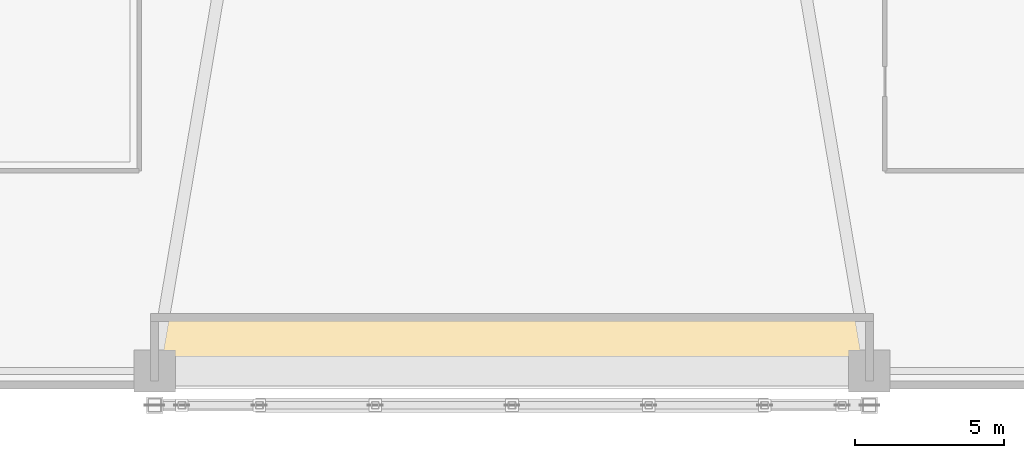
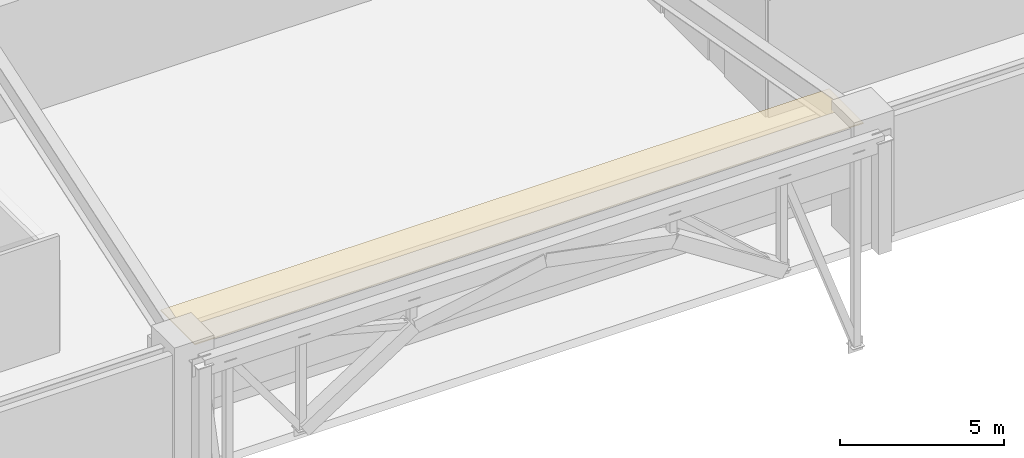
# One storey, part 17 of 21: 1 covering.
"""IFC4 building model written with IfcOpenShell, lengths in metres."""

from ifc_helpers import new_model, si_unit, direction, frame, origin, place, context, subcontext, project, spatial, polyline, outline, extrude, material, layer, layer_set, type_object, element, save


model = new_model("IFC4")

# Units and contexts
model_context = context("Model", 3, precision=1e-05, world=origin(), true_north=direction((0.0, 1.0)))
body_context = subcontext(model_context, "Body", "Model", "MODEL_VIEW")
ifc_project = project(units=[si_unit("LENGTHUNIT", "METRE"), si_unit("AREAUNIT", "SQUARE_METRE"), si_unit("VOLUMEUNIT", "CUBIC_METRE"), si_unit("PLANEANGLEUNIT", "RADIAN"), si_unit("MASSUNIT", "GRAM", prefix="KILO")], contexts=[model_context])

# Site, building, storey
site_placement = place(None, origin())
site = spatial("IfcSite", under=ifc_project, at=site_placement, CompositionType="ELEMENT")
building_placement = place(site_placement, origin())
building = spatial("IfcBuilding", under=site, at=building_placement, Name="Solmarez Civic Tower", CompositionType="ELEMENT")
storey_placement = place(building_placement, frame((0.0, 0.0, 10.080078125)))
storey = spatial("IfcBuildingStorey", under=building, at=storey_placement, Name="L02", CompositionType="ELEMENT", Elevation=10.080078125)

# Covering
ifc_material = material(Name="Bronze Anodised Aluminium Exterior Soffit Cladding", Category="aluminium")
ifc_layer = layer(ifc_material, 0.0400390625)
ifc_layer_set = layer_set([ifc_layer], Name="Bronze Anodised Aluminium Exterior Soffit Cladding")
covering_type = type_object("IfcCoveringType", Name="COV-SOFFIT-CLAD", PredefinedType="CLADDING", material=ifc_layer_set)
covering_placement = place(storey_placement, frame((0.0, 0.0, 4.2998046875)))
element("IfcCovering", 1, at=covering_placement, inside=storey, type_object=covering_type, Name="South Civic Arch Portico Bronze Soffit Cladding", PredefinedType="CLADDING", context=body_context, shape_type="SweptSolid", body=[
    extrude(outline(polyline([(-11.800048828125, -27.39990234375), (11.800048828125, -27.39990234375), (11.800048828125, -25.300048828125), (-11.800048828125, -25.300048828125), (-11.800048828125, -27.39990234375)])), origin(), (0.0, 0.0, 1.0), 0.0400390625),
])

save(model, "model.ifc")
